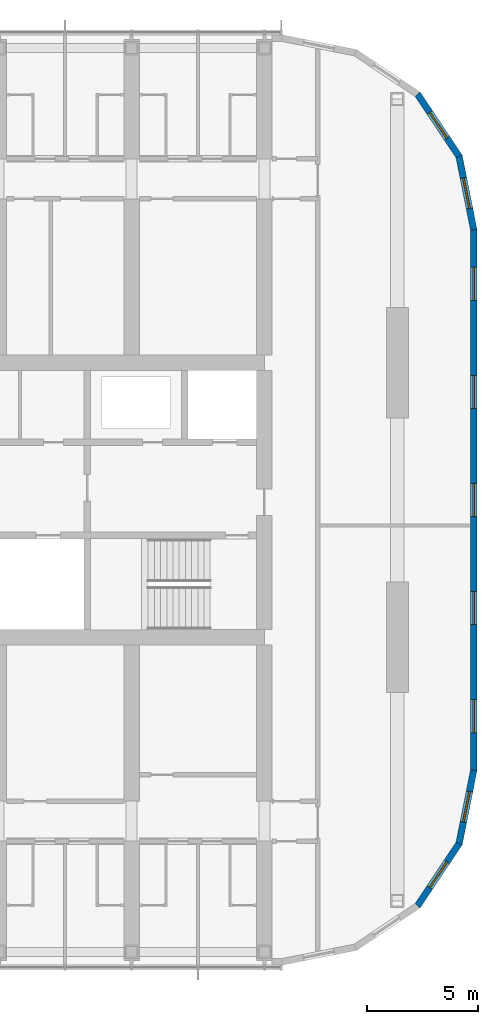
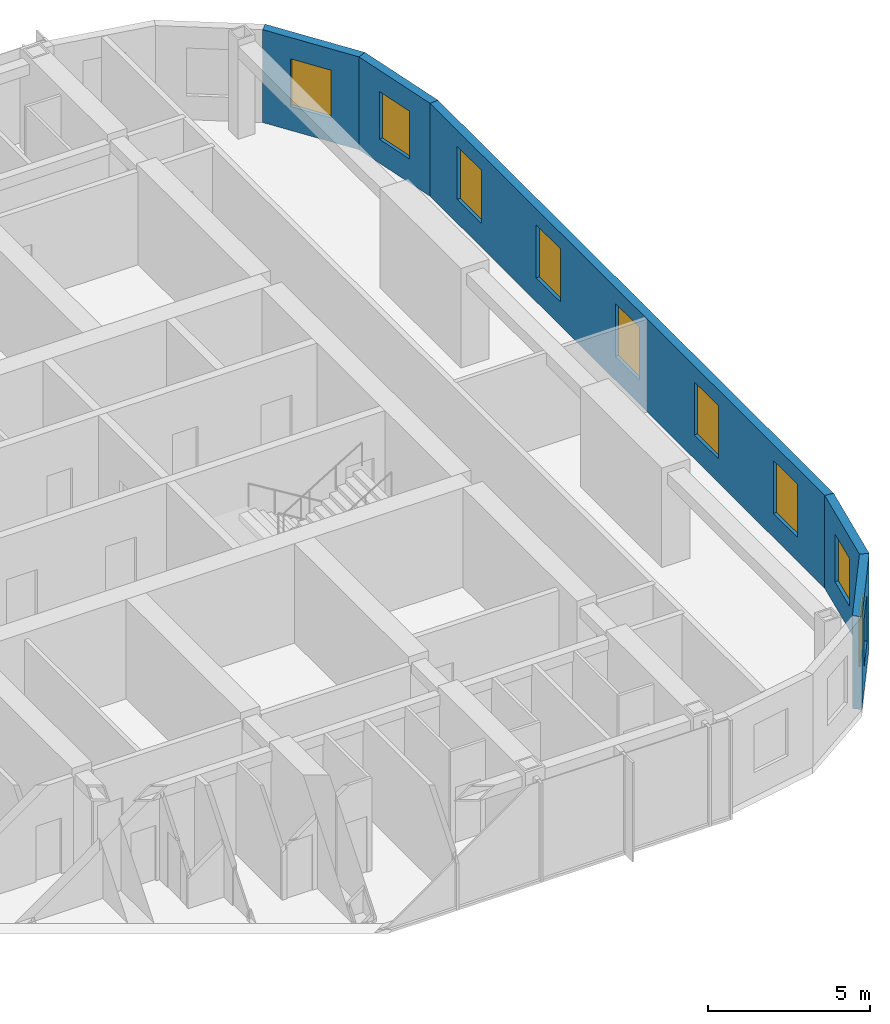
# One storey, part 19 of 24: 9 windows, 5 walls, 9 openings.
"""IFC4 building model written with IfcOpenShell, lengths in metres."""

from ifc_helpers import new_model, si_unit, direction, frame, frame_2d, origin, place, context, subcontext, project, spatial, polyline, rectangle, outline, extrude, material, layer, layer_set, type_object, element, fill, save


model = new_model("IFC4")

# Units and contexts
model_context = context("Model", 3, precision=1e-05, world=origin(), true_north=direction((0.0, 1.0)))
body_context = subcontext(model_context, "Body", "Model", "MODEL_VIEW")
ifc_project = project(units=[si_unit("LENGTHUNIT", "METRE"), si_unit("AREAUNIT", "SQUARE_METRE"), si_unit("VOLUMEUNIT", "CUBIC_METRE"), si_unit("PLANEANGLEUNIT", "RADIAN"), si_unit("MASSUNIT", "GRAM", prefix="KILO")], contexts=[model_context])

# Site, building, storey
site_placement = place(None, origin())
site = spatial("IfcSite", under=ifc_project, at=site_placement, CompositionType="ELEMENT")
building_placement = place(site_placement, origin())
building = spatial("IfcBuilding", under=site, at=building_placement, Name="Orbita Commons", CompositionType="ELEMENT")
storey_placement = place(building_placement, frame((0.0, 0.0, 235.300048828125)))
storey = spatial("IfcBuildingStorey", under=building, at=storey_placement, Name="L58", CompositionType="ELEMENT", Elevation=235.300048828125)

# Wall, openings, windows
ifc_material_1 = material(Name="Precast concrete C40/50, white board-marked finish", Category="concrete")
ifc_layer = layer(ifc_material_1, 0.300048828125)
ifc_layer_set = layer_set([ifc_layer], Name="Precast concrete C40/50, white board-marked finish")
wall_type = type_object("IfcWallType", Name="Precast concrete end shield 300", PredefinedType="SOLIDWALL", material=ifc_layer_set)
wall_1_placement = place(storey_placement, frame((75.449951171875, 19.800048828125, 0.0), z_axis=(0.0, 0.0, 1.0), x_axis=(0.0, 1.0, 0.0)))
wall_1 = element("IfcWall", 1, at=wall_1_placement, inside=storey, type_object=wall_type, Name="End shield E L58", PredefinedType="SOLIDWALL", context=body_context, shape_type="SweptSolid", body=[
    extrude(outline(polyline([(-0.014892578125, -0.14990234375), (24.414794921875, -0.14990234375), (24.385009765625, 0.14990234375), (0.014892578125, 0.14990234375), (-0.014892578125, -0.14990234375)])), origin(), (0.0, 0.0, 1.0), 3.5),
])
opening_1_placement = place(wall_1_placement, frame((1.68994140625, 0.0, 0.89990234375)))
opening_1 = element("IfcOpeningElement", 2, at=opening_1_placement, cuts=wall_1, Name="Opening W01", PredefinedType="OPENING", context=body_context, shape_type="SweptSolid", body=[
    extrude(rectangle(XDim=1.5, YDim=2.0, at=frame_2d((0.75, 1.0))), frame((0.0, 0.159912109375, 0.0), z_axis=(0.0, -1.0, 0.0), x_axis=(1.0, 0.0, 0.0)), (0.0, 0.0, 1.0), 0.320068359375),
])
opening_2_placement = place(wall_1_placement, frame((6.570068359375, 0.0, 0.89990234375)))
opening_2 = element("IfcOpeningElement", 3, at=opening_2_placement, cuts=wall_1, Name="Opening W01", PredefinedType="OPENING", context=body_context, shape_type="SweptSolid", body=[
    extrude(rectangle(XDim=1.5, YDim=2.0, at=frame_2d((0.75, 1.0))), frame((0.0, 0.159912109375, 0.0), z_axis=(0.0, -1.0, 0.0), x_axis=(1.0, 0.0, 0.0)), (0.0, 0.0, 1.0), 0.320068359375),
])
opening_3_placement = place(wall_1_placement, frame((11.449951171875, 0.0, 0.89990234375)))
opening_3 = element("IfcOpeningElement", 4, at=opening_3_placement, cuts=wall_1, Name="Opening W01", PredefinedType="OPENING", context=body_context, shape_type="SweptSolid", body=[
    extrude(rectangle(XDim=1.5, YDim=2.0, at=frame_2d((0.75, 1.0))), frame((0.0, 0.159912109375, 0.0), z_axis=(0.0, -1.0, 0.0), x_axis=(1.0, 0.0, 0.0)), (0.0, 0.0, 1.0), 0.320068359375),
])
opening_4_placement = place(wall_1_placement, frame((16.330078125, 0.0, 0.89990234375)))
opening_4 = element("IfcOpeningElement", 5, at=opening_4_placement, cuts=wall_1, Name="Opening W01", PredefinedType="OPENING", context=body_context, shape_type="SweptSolid", body=[
    extrude(rectangle(XDim=1.5, YDim=2.0, at=frame_2d((0.75, 1.0))), frame((0.0, 0.159912109375, 0.0), z_axis=(0.0, -1.0, 0.0), x_axis=(1.0, 0.0, 0.0)), (0.0, 0.0, 1.0), 0.320068359375),
])
opening_5_placement = place(wall_1_placement, frame((21.2099609375, 0.0, 0.89990234375)))
opening_5 = element("IfcOpeningElement", 6, at=opening_5_placement, cuts=wall_1, Name="Opening W01", PredefinedType="OPENING", context=body_context, shape_type="SweptSolid", body=[
    extrude(rectangle(XDim=1.5, YDim=2.0, at=frame_2d((0.75, 1.0))), frame((0.0, 0.159912109375, 0.0), z_axis=(0.0, -1.0, 0.0), x_axis=(1.0, 0.0, 0.0)), (0.0, 0.0, 1.0), 0.320068359375),
])
ifc_material_2 = material(Name="Aluminium frame, clear double glazing", Category="aluminium")
window_type_1 = type_object("IfcWindowType", Name="Deep-set window 1500x2000", PartitioningType="SINGLE_PANEL", PredefinedType="WINDOW", material=ifc_material_2)
window_1_placement = place(opening_1_placement, origin())
window_1 = element("IfcWindow", 7, at=window_1_placement, inside=storey, type_object=window_type_1, Name="Window L58-E 1", OverallHeight=2.0, OverallWidth=1.5, PartitioningType="SINGLE_PANEL", PredefinedType="WINDOW", context=body_context, shape_type="SweptSolid", body=[
    extrude(rectangle(XDim=1.5, YDim=2.0, at=frame_2d((0.75, 1.0))), frame((0.0, 0.030029296875, 0.0), z_axis=(0.0, -1.0, 0.0), x_axis=(1.0, 0.0, 0.0)), (0.0, 0.0, 1.0), 0.06005859375),
])
fill(opening_1, window_1)
window_2_placement = place(opening_2_placement, origin())
window_2 = element("IfcWindow", 8, at=window_2_placement, inside=storey, type_object=window_type_1, Name="Window L58-E 2", OverallHeight=2.0, OverallWidth=1.5, PartitioningType="SINGLE_PANEL", PredefinedType="WINDOW", context=body_context, shape_type="SweptSolid", body=[
    extrude(rectangle(XDim=1.5, YDim=2.0, at=frame_2d((0.75, 1.0))), frame((0.0, 0.030029296875, 0.0), z_axis=(0.0, -1.0, 0.0), x_axis=(1.0, 0.0, 0.0)), (0.0, 0.0, 1.0), 0.06005859375),
])
fill(opening_2, window_2)
window_3_placement = place(opening_3_placement, origin())
window_3 = element("IfcWindow", 9, at=window_3_placement, inside=storey, type_object=window_type_1, Name="Window L58-E 3", OverallHeight=2.0, OverallWidth=1.5, PartitioningType="SINGLE_PANEL", PredefinedType="WINDOW", context=body_context, shape_type="SweptSolid", body=[
    extrude(rectangle(XDim=1.5, YDim=2.0, at=frame_2d((0.75, 1.0))), frame((0.0, 0.030029296875, 0.0), z_axis=(0.0, -1.0, 0.0), x_axis=(1.0, 0.0, 0.0)), (0.0, 0.0, 1.0), 0.06005859375),
])
fill(opening_3, window_3)
window_4_placement = place(opening_4_placement, origin())
window_4 = element("IfcWindow", 10, at=window_4_placement, inside=storey, type_object=window_type_1, Name="Window L58-E 4", OverallHeight=2.0, OverallWidth=1.5, PartitioningType="SINGLE_PANEL", PredefinedType="WINDOW", context=body_context, shape_type="SweptSolid", body=[
    extrude(rectangle(XDim=1.5, YDim=2.0, at=frame_2d((0.75, 1.0))), frame((0.0, 0.030029296875, 0.0), z_axis=(0.0, -1.0, 0.0), x_axis=(1.0, 0.0, 0.0)), (0.0, 0.0, 1.0), 0.06005859375),
])
fill(opening_4, window_4)
window_5_placement = place(opening_5_placement, origin())
window_5 = element("IfcWindow", 11, at=window_5_placement, inside=storey, type_object=window_type_1, Name="Window L58-E 5", OverallHeight=2.0, OverallWidth=1.5, PartitioningType="SINGLE_PANEL", PredefinedType="WINDOW", context=body_context, shape_type="SweptSolid", body=[
    extrude(rectangle(XDim=1.5, YDim=2.0, at=frame_2d((0.75, 1.0))), frame((0.0, 0.030029296875, 0.0), z_axis=(0.0, -1.0, 0.0), x_axis=(1.0, 0.0, 0.0)), (0.0, 0.0, 1.0), 0.06005859375),
])
fill(opening_5, window_5)

# Wall, opening, window
wall_2_placement = place(storey_placement, frame((72.91650390625, 13.68359375, 0.0), z_axis=(0.0, 0.0, 1.0), x_axis=(0.555567969291, 0.831471124873, 0.0)))
wall_2 = element("IfcWall", 12, at=wall_2_placement, inside=storey, type_object=wall_type, Name="End shield SE chord 3 L58", PredefinedType="SOLIDWALL", context=body_context, shape_type="SweptSolid", body=[
    extrude(outline(polyline([(-0.02978515625, -0.14990234375), (3.40478515625, -0.14990234375), (3.34521484375, 0.14990234375), (0.02978515625, 0.14990234375), (-0.02978515625, -0.14990234375)])), origin(), (0.0, 0.0, 1.0), 3.5),
])
opening_6_placement = place(wall_2_placement, frame((0.987548828125, 0.0, 0.89990234375)))
opening_6 = element("IfcOpeningElement", 13, at=opening_6_placement, cuts=wall_2, Name="Opening W02", PredefinedType="OPENING", context=body_context, shape_type="SweptSolid", body=[
    extrude(rectangle(XDim=1.39990234375, YDim=1.800048828125, at=frame_2d((0.699951171875, 0.89990234375))), frame((0.0, 0.159912109375, 0.0), z_axis=(0.0, -1.0, 0.0), x_axis=(1.0, 0.0, 0.0)), (0.0, 0.0, 1.0), 0.320068359375),
])
ifc_material_3 = material(Name="Aluminium frame, clear double glazing", Category="aluminium")
window_type_2 = type_object("IfcWindowType", Name="Deep-set window 1400x1800", PartitioningType="SINGLE_PANEL", PredefinedType="WINDOW", material=ifc_material_3)
window_6_placement = place(opening_6_placement, origin())
window_6 = element("IfcWindow", 14, at=window_6_placement, inside=storey, type_object=window_type_2, Name="Window L58-SE2", OverallHeight=1.800048828125, OverallWidth=1.39990234375, PartitioningType="SINGLE_PANEL", PredefinedType="WINDOW", context=body_context, shape_type="SweptSolid", body=[
    extrude(rectangle(XDim=1.39990234375, YDim=1.800048828125, at=frame_2d((0.699951171875, 0.89990234375))), frame((0.0, 0.030029296875, 0.0), z_axis=(0.0, -1.0, 0.0), x_axis=(1.0, 0.0, 0.0)), (0.0, 0.0, 1.0), 0.06005859375),
])
fill(opening_6, window_6)

wall_3_placement = place(storey_placement, frame((74.79150390625, 16.48974609375, 0.0), z_axis=(0.0, 0.0, 1.0), x_axis=(0.19508664885, 0.980786011034, 0.0)))
wall_3 = element("IfcWall", 15, at=wall_3_placement, inside=storey, type_object=wall_type, Name="End shield SE chord 4 L58", PredefinedType="SOLIDWALL", context=body_context, shape_type="SweptSolid", body=[
    extrude(outline(polyline([(-0.02978515625, -0.14990234375), (3.39013671875, -0.14990234375), (3.3603515625, 0.14990234375), (0.02978515625, 0.14990234375), (-0.02978515625, -0.14990234375)])), origin(), (0.0, 0.0, 1.0), 3.5),
])
opening_7_placement = place(wall_3_placement, frame((0.987548828125, 0.0, 0.89990234375)))
opening_7 = element("IfcOpeningElement", 16, at=opening_7_placement, cuts=wall_3, Name="Opening W02", PredefinedType="OPENING", context=body_context, shape_type="SweptSolid", body=[
    extrude(rectangle(XDim=1.39990234375, YDim=1.800048828125, at=frame_2d((0.699951171875, 0.89990234375))), frame((0.0, 0.159912109375, 0.0), z_axis=(0.0, -1.0, 0.0), x_axis=(1.0, 0.0, 0.0)), (0.0, 0.0, 1.0), 0.320068359375),
])
window_7_placement = place(opening_7_placement, origin())
window_7 = element("IfcWindow", 17, at=window_7_placement, inside=storey, type_object=window_type_2, Name="Window L58-SE3", OverallHeight=1.800048828125, OverallWidth=1.39990234375, PartitioningType="SINGLE_PANEL", PredefinedType="WINDOW", context=body_context, shape_type="SweptSolid", body=[
    extrude(rectangle(XDim=1.39990234375, YDim=1.800048828125, at=frame_2d((0.699951171875, 0.89990234375))), frame((0.0, 0.030029296875, 0.0), z_axis=(0.0, -1.0, 0.0), x_axis=(1.0, 0.0, 0.0)), (0.0, 0.0, 1.0), 0.06005859375),
])
fill(opening_7, window_7)

wall_4_placement = place(storey_placement, frame((75.449951171875, 44.199951171875, 0.0), z_axis=(0.0, 0.0, 1.0), x_axis=(-0.19508664885, 0.980786011034, 0.0)))
wall_4 = element("IfcWall", 18, at=wall_4_placement, inside=storey, type_object=wall_type, Name="End shield NE chord 1 L58", PredefinedType="SOLIDWALL", context=body_context, shape_type="SweptSolid", body=[
    extrude(outline(polyline([(-0.014892578125, -0.14990234375), (3.405029296875, -0.14990234375), (3.345458984375, 0.14990234375), (0.014892578125, 0.14990234375), (-0.014892578125, -0.14990234375)])), origin(), (0.0, 0.0, 1.0), 3.5),
])
opening_8_placement = place(wall_4_placement, frame((0.987548828125, 0.0, 0.89990234375)))
opening_8 = element("IfcOpeningElement", 19, at=opening_8_placement, cuts=wall_4, Name="Opening W02", PredefinedType="OPENING", context=body_context, shape_type="SweptSolid", body=[
    extrude(rectangle(XDim=1.39990234375, YDim=1.800048828125, at=frame_2d((0.699951171875, 0.89990234375))), frame((0.0, 0.159912109375, 0.0), z_axis=(0.0, -1.0, 0.0), x_axis=(1.0, 0.0, 0.0)), (0.0, 0.0, 1.0), 0.320068359375),
])
window_8_placement = place(opening_8_placement, origin())
window_8 = element("IfcWindow", 20, at=window_8_placement, inside=storey, type_object=window_type_2, Name="Window L58-NE0", OverallHeight=1.800048828125, OverallWidth=1.39990234375, PartitioningType="SINGLE_PANEL", PredefinedType="WINDOW", context=body_context, shape_type="SweptSolid", body=[
    extrude(rectangle(XDim=1.39990234375, YDim=1.800048828125, at=frame_2d((0.699951171875, 0.89990234375))), frame((0.0, 0.030029296875, 0.0), z_axis=(0.0, -1.0, 0.0), x_axis=(1.0, 0.0, 0.0)), (0.0, 0.0, 1.0), 0.06005859375),
])
fill(opening_8, window_8)

wall_5_placement = place(storey_placement, frame((74.79150390625, 47.51025390625, 0.0), z_axis=(0.0, 0.0, 1.0), x_axis=(-0.555567969291, 0.831471124873, 0.0)))
wall_5 = element("IfcWall", 21, at=wall_5_placement, inside=storey, type_object=wall_type, Name="End shield NE chord 2 L58", PredefinedType="SOLIDWALL", context=body_context, shape_type="SweptSolid", body=[
    extrude(outline(polyline([(-0.02978515625, -0.14990234375), (3.40478515625, -0.14990234375), (3.34521484375, 0.14990234375), (0.02978515625, 0.14990234375), (-0.02978515625, -0.14990234375)])), origin(), (0.0, 0.0, 1.0), 3.5),
])
opening_9_placement = place(wall_5_placement, frame((0.987548828125, 0.0, 0.89990234375)))
opening_9 = element("IfcOpeningElement", 22, at=opening_9_placement, cuts=wall_5, Name="Opening W02", PredefinedType="OPENING", context=body_context, shape_type="SweptSolid", body=[
    extrude(rectangle(XDim=1.39990234375, YDim=1.800048828125, at=frame_2d((0.699951171875, 0.89990234375))), frame((0.0, 0.159912109375, 0.0), z_axis=(0.0, -1.0, 0.0), x_axis=(1.0, 0.0, 0.0)), (0.0, 0.0, 1.0), 0.320068359375),
])
window_9_placement = place(opening_9_placement, origin())
window_9 = element("IfcWindow", 23, at=window_9_placement, inside=storey, type_object=window_type_2, Name="Window L58-NE1", OverallHeight=1.800048828125, OverallWidth=1.39990234375, PartitioningType="SINGLE_PANEL", PredefinedType="WINDOW", context=body_context, shape_type="SweptSolid", body=[
    extrude(rectangle(XDim=1.39990234375, YDim=1.800048828125, at=frame_2d((0.699951171875, 0.89990234375))), frame((0.0, 0.030029296875, 0.0), z_axis=(0.0, -1.0, 0.0), x_axis=(1.0, 0.0, 0.0)), (0.0, 0.0, 1.0), 0.06005859375),
])
fill(opening_9, window_9)

save(model, "model.ifc")
